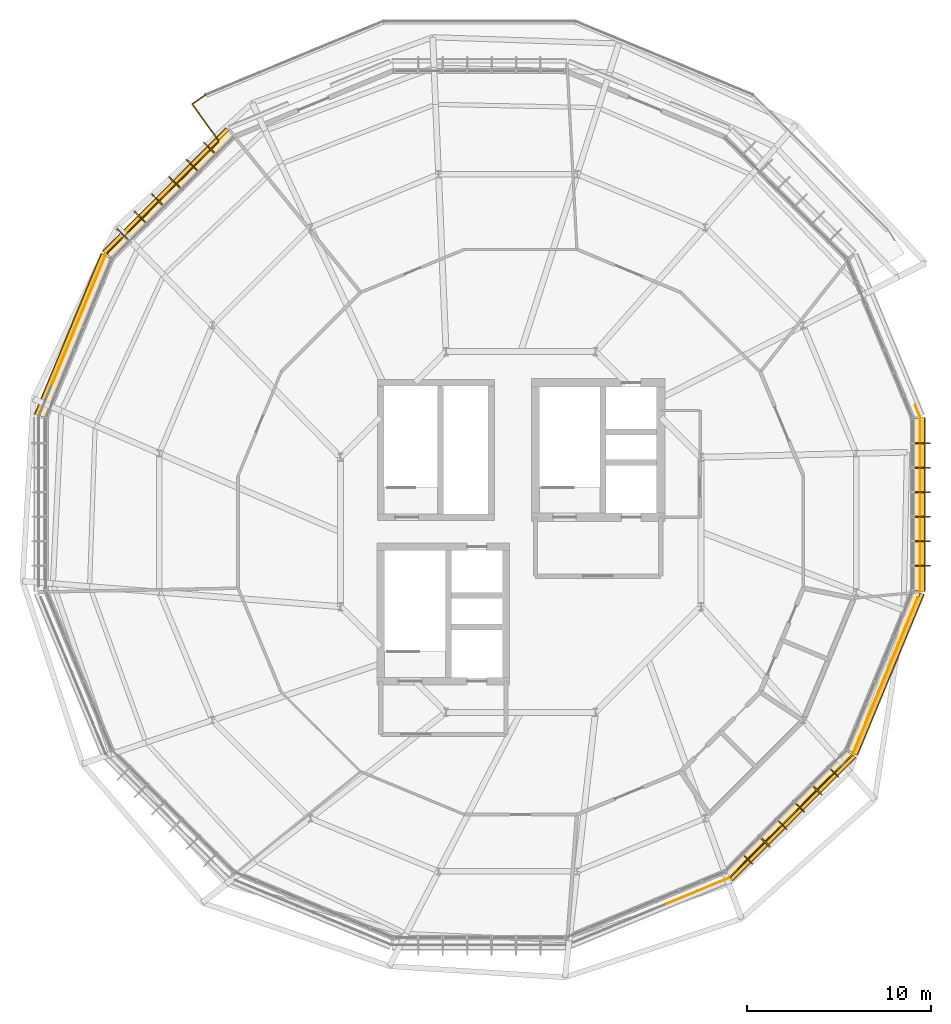
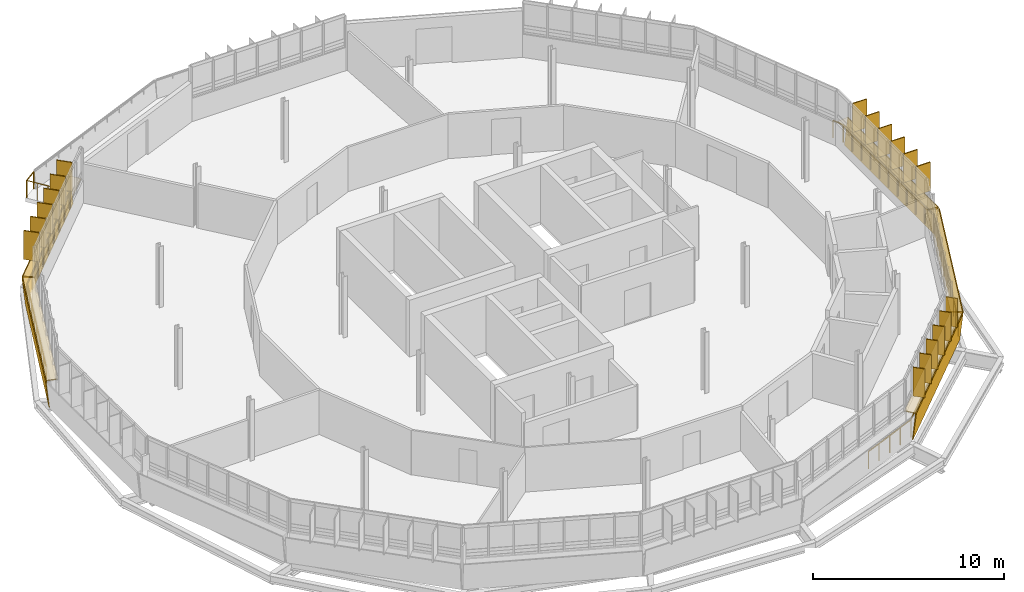
# One storey, part 30 of 31: 29 railings, 18 shading devices, 10 coverings.
"""IFC4 building model written with IfcOpenShell, lengths in metres."""

from ifc_helpers import new_model, si_unit, derived_unit, direction, frame, origin, origin_2d, place, context, subcontext, project, spatial, polyline, rectangle, circle, outline, extrude, material, layer, layer_set, type_object, element, save


model = new_model("IFC4")

# Units and contexts
model_context = context("Model", 3, precision=1e-05, world=origin(), true_north=direction((0.0, 1.0)))
body_context = subcontext(model_context, "Body", "Model", "MODEL_VIEW")
ifc_project = project(units=[si_unit("LENGTHUNIT", "METRE"), si_unit("AREAUNIT", "SQUARE_METRE"), si_unit("VOLUMEUNIT", "CUBIC_METRE"), si_unit("PLANEANGLEUNIT", "RADIAN"), si_unit("MASSUNIT", "GRAM", prefix="KILO"), derived_unit("THERMALTRANSMITTANCEUNIT", [(si_unit("MASSUNIT", "GRAM", prefix="KILO"), 1), (si_unit("TIMEUNIT", "SECOND"), -3), (si_unit("THERMODYNAMICTEMPERATUREUNIT", "KELVIN"), -1)])], contexts=[model_context])

# Site, building, storey
site_placement = place(None, origin())
site = spatial("IfcSite", under=ifc_project, at=site_placement, CompositionType="ELEMENT")
building_placement = place(site_placement, origin())
building = spatial("IfcBuilding", under=site, at=building_placement, Name="Makaiwela Harbour Ferry Terminal", CompositionType="ELEMENT")
storey_placement = place(building_placement, frame((0.0, 0.0, 21.60009765625)))
storey = spatial("IfcBuildingStorey", under=building, at=storey_placement, Name="L05", CompositionType="ELEMENT", Elevation=21.60009765625)

# Coverings
ifc_material_1 = material(Name="White glazed marine ceramic rainscreen tile", Category="masonry")
ifc_layer_1 = layer(ifc_material_1, 0.054931640625)
ifc_layer_set_1 = layer_set([ifc_layer_1], Name="White glazed marine ceramic rainscreen tile")
covering_type = type_object("IfcCoveringType", Name="ENV-CLD-CERAMIC", PredefinedType="CLADDING", material=ifc_layer_set_1)
covering_1_placement = place(storey_placement, frame((21.939453125, 89.399658203125, -0.2001953125), z_axis=(0.702880719447, -0.702893546439, 0.109084172107), x_axis=(-0.707113309931, -0.707100252381, 9.89417e-07)))
element("IfcCovering", 1, at=covering_1_placement, inside=storey, type_object=covering_type, Name="Ceramic Spandrel Facet CLD-0137", PredefinedType="CLADDING", context=body_context, shape_type="SweptSolid", body=[
    extrude(outline(polyline([(0.0, 0.0), (9.459797434945667, 0.0), (9.459973512622991, -1.730532407882872), (3.445779770495592e-06, -1.7305512398080287), (0.0, 0.0)])), origin(), (0.0, 0.0, -1.0), 0.054931640625),
])
covering_2_placement = place(storey_placement, frame((0.0, 0.0, 1.47998046875)))
element("IfcCovering", 2, at=covering_2_placement, inside=storey, type_object=covering_type, Name="Ceramic Ring Sill Cap CLD-0138", PredefinedType="CLADDING", context=body_context, shape_type="SweptSolid", body=[
    extrude(outline(polyline([(21.805908203125, 89.533203125), (15.11669921875, 82.843994140625), (15.615966796875, 82.454833984375), (22.195068359375, 89.0341796875), (21.805908203125, 89.533203125)])), origin(), (0.0, 0.0, 1.0), 0.054931640625),
])
covering_3_placement = place(storey_placement, frame((15.20703125, 82.64599609375, -0.2001953125), z_axis=(0.918359584869, -0.380409383324, 0.109107167308), x_axis=(-0.382693938663, -0.923875180589, -1.292983e-06)))
element("IfcCovering", 3, at=covering_3_placement, inside=storey, type_object=covering_type, Name="Ceramic Spandrel Facet CLD-0139", PredefinedType="CLADDING", context=body_context, shape_type="SweptSolid", body=[
    extrude(outline(polyline([(0.0, 0.0), (9.459831405573986, 5.551115123125783e-17), (9.45986802723752, -1.7305585225097775), (-5.680947383312657e-05, -1.7305339126719448), (0.0, 0.0)])), origin(), (0.0, 0.0, -1.0), 0.054931640625),
])
covering_4_placement = place(storey_placement, frame((0.0, 0.0, 1.47998046875)))
element("IfcCovering", 4, at=covering_4_placement, inside=storey, type_object=covering_type, Name="Ceramic Ring Sill Cap CLD-0140", PredefinedType="CLADDING", context=body_context, shape_type="SweptSolid", body=[
    extrude(outline(polyline([(15.03271484375, 82.71826171875), (11.412353515625, 73.978515625), (12.022705078125, 73.809814453125), (15.583251953125, 82.406005859375), (15.03271484375, 82.71826171875)])), origin(), (0.0, 0.0, 1.0), 0.054931640625),
])
covering_5_placement = place(storey_placement, frame((49.16064453125, 48.80029296875, -0.2001953125), z_axis=(-0.70288589418, 0.702873067327, 0.109182741256), x_axis=(0.707100252243, 0.707113310069, -9.90301e-07)))
element("IfcCovering", 5, at=covering_5_placement, inside=storey, type_object=covering_type, Name="Ceramic Spandrel Facet CLD-0153", PredefinedType="CLADDING", context=body_context, shape_type="SweptSolid", body=[
    extrude(outline(polyline([(0.0, 0.0), (9.459797434945676, 1.1102230246251565e-16), (9.459966619506949, -1.7305700887498752), (-3.447336247298198e-06, -1.7305512398080718), (0.0, 0.0)])), origin(), (0.0, 0.0, -1.0), 0.054931640625),
])
covering_6_placement = place(storey_placement, frame((0.0, 0.0, 1.47998046875)))
element("IfcCovering", 6, at=covering_6_placement, inside=storey, type_object=covering_type, Name="Ceramic Ring Sill Cap CLD-0154", PredefinedType="CLADDING", context=body_context, shape_type="SweptSolid", body=[
    extrude(outline(polyline([(49.294189453125, 48.666748046875), (55.9833984375, 55.35595703125), (55.484130859375, 55.7451171875), (48.90478515625, 49.166015625), (49.294189453125, 48.666748046875)])), origin(), (0.0, 0.0, 1.0), 0.054931640625),
])
covering_7_placement = place(storey_placement, frame((55.892822265625, 55.553955078125, -0.2001953125), z_axis=(-0.918357588115, 0.380395729275, 0.109171559944), x_axis=(0.382683055547, 0.923879688594, 0.0)))
element("IfcCovering", 7, at=covering_7_placement, inside=storey, type_object=covering_type, Name="Ceramic Spandrel Facet CLD-0155", PredefinedType="CLADDING", context=body_context, shape_type="SweptSolid", body=[
    extrude(outline(polyline([(0.0, 0.0), (9.459831406238237, 0.0), (9.459868026573268, -1.7305585261408318), (3.6620335031142814e-05, -1.7305585261408318), (0.0, 0.0)])), origin(), (0.0, 0.0, -1.0), 0.054931640625),
])
covering_8_placement = place(storey_placement, frame((0.0, 0.0, 1.47998046875)))
element("IfcCovering", 8, at=covering_8_placement, inside=storey, type_object=covering_type, Name="Ceramic Ring Sill Cap CLD-0156", PredefinedType="CLADDING", context=body_context, shape_type="SweptSolid", body=[
    extrude(outline(polyline([(56.0673828125, 55.481689453125), (59.6875, 64.221435546875), (59.077392578125, 64.39013671875), (55.516845703125, 55.7939453125), (56.0673828125, 55.481689453125)])), origin(), (0.0, 0.0, 1.0), 0.054931640625),
])
covering_9_placement = place(storey_placement, frame((59.5283203125, 64.3701171875, -0.2001953125), z_axis=(-0.994035900553, 0.0, 0.109053328289), x_axis=(0.0, 1.0, 0.0)))
element("IfcCovering", 9, at=covering_9_placement, inside=storey, type_object=covering_type, Name="Ceramic Spandrel Facet CLD-0157", PredefinedType="CLADDING", context=body_context, shape_type="SweptSolid", body=[
    extrude(outline(polyline([(0.0, 0.0), (9.4599609375, 0.0), (9.4599609375, -1.7305359321452505), (0.0, -1.7305359321452505), (0.0, 0.0)])), origin(), (0.0, 0.0, -1.0), 0.054931640625),
])
covering_10_placement = place(storey_placement, frame((0.0, 0.0, 1.47998046875)))
element("IfcCovering", 10, at=covering_10_placement, inside=storey, type_object=covering_type, Name="Ceramic Ring Sill Cap CLD-0158", PredefinedType="CLADDING", context=body_context, shape_type="SweptSolid", body=[
    extrude(outline(polyline([(59.717041015625, 64.3701171875), (59.717041015625, 73.830078125), (59.0888671875, 73.752197265625), (59.0888671875, 64.44775390625), (59.717041015625, 64.3701171875)])), origin(), (0.0, 0.0, 1.0), 0.054931640625),
])

# Shading devices
ifc_material_2 = material(Name="Marine anodised aluminium 6063-T6", Category="aluminium")
ifc_layer_2 = layer(ifc_material_2, 0.054931640625)
ifc_layer_set_2 = layer_set([ifc_layer_2], Name="Marine anodised aluminium 6063-T6")
shading_device_type_1 = type_object("IfcShadingDeviceType", Name="ENV-FIN-650", PredefinedType="USERDEFINED", material=ifc_layer_set_2)
for number, where, z_axis, x_axis, name in (
    (11, (50.154541015625, 49.796142578125, 1.60009765625), (0.0, 0.0, 1.0), (0.707106781187, -0.707106781187, 0.0), "Vertical Solar Fin SFN-0186"),
    (12, (51.094482421875, 50.736083984375, 1.60009765625), (0.0, 0.0, 1.0), (0.707106781187, -0.707106781187, 0.0), "Vertical Solar Fin SFN-0187"),
    (13, (52.0341796875, 51.67578125, 1.60009765625), (0.0, 0.0, 1.0), (0.707106781187, -0.707106781187, 0.0), "Vertical Solar Fin SFN-0188"),
    (14, (52.97412109375, 52.61572265625, 1.60009765625), (0.0, 0.0, 1.0), (0.707106781187, -0.707106781187, 0.0), "Vertical Solar Fin SFN-0189"),
    (15, (53.9140625, 53.5556640625, 1.60009765625), (0.0, 0.0, 1.0), (0.707106781187, -0.707106781187, 0.0), "Vertical Solar Fin SFN-0190"),
    (16, (54.85400390625, 54.49560546875, 1.60009765625), (0.0, 0.0, 1.0), (0.707106781187, -0.707106781187, 0.0), "Vertical Solar Fin SFN-0191"),
):
    element("IfcShadingDevice", number, at=place(storey_placement, frame(where, z_axis=z_axis, x_axis=x_axis)), inside=storey, type_object=shading_device_type_1, Name=name, ObjectType="SOLAR FIN", PredefinedType="USERDEFINED", context=body_context, shape_type="SweptSolid", body=[
        extrude(rectangle(XDim=0.64990234375, YDim=0.054931640625, at=origin_2d()), origin(), (0.0, 0.0, 1.0), 1.840087890625),
    ])
ifc_material_3 = material(Name="Thermally modified Accoya timber and anodised aluminium", Category="wood")
ifc_layer_3 = layer(ifc_material_3, 0.06005859375)
ifc_layer_set_3 = layer_set([ifc_layer_3], Name="Thermally modified Accoya timber and anodised aluminium")
shading_device_type_2 = type_object("IfcShadingDeviceType", Name="ENV-FIN-850", PredefinedType="USERDEFINED", material=ifc_layer_set_3)
for number, where, z_axis, x_axis, name in (
    (17, (20.874755859375, 88.474609375, 1.60009765625), (0.0, 0.0, 1.0), (-0.707106781187, 0.707106781187, 0.0), "Vertical Solar Fin SFN-0162"),
    (18, (19.934814453125, 87.53466796875, 1.60009765625), (0.0, 0.0, 1.0), (-0.707106781187, 0.707106781187, 0.0), "Vertical Solar Fin SFN-0163"),
    (19, (18.9951171875, 86.5947265625, 1.60009765625), (0.0, 0.0, 1.0), (-0.707106781187, 0.707106781187, 0.0), "Vertical Solar Fin SFN-0164"),
    (20, (18.05517578125, 85.655029296875, 1.60009765625), (0.0, 0.0, 1.0), (-0.707106781187, 0.707106781187, 0.0), "Vertical Solar Fin SFN-0165"),
    (21, (17.115234375, 84.715087890625, 1.60009765625), (0.0, 0.0, 1.0), (-0.707106781187, 0.707106781187, 0.0), "Vertical Solar Fin SFN-0166"),
    (22, (16.17529296875, 83.775146484375, 1.60009765625), (0.0, 0.0, 1.0), (-0.707106781187, 0.707106781187, 0.0), "Vertical Solar Fin SFN-0167"),
    (23, (59.626708984375, 65.777099609375, 1.60009765625), (0.0, 0.0, 1.0), (1.0, 0.0, 0.0), "Vertical Solar Fin SFN-0192"),
    (24, (59.626708984375, 67.106201171875, 1.60009765625), (0.0, 0.0, 1.0), (1.0, 0.0, 0.0), "Vertical Solar Fin SFN-0193"),
    (25, (59.626708984375, 68.435302734375, 1.60009765625), (0.0, 0.0, 1.0), (1.0, 0.0, 0.0), "Vertical Solar Fin SFN-0194"),
    (26, (59.626708984375, 69.7646484375, 1.60009765625), (0.0, 0.0, 1.0), (1.0, 0.0, 0.0), "Vertical Solar Fin SFN-0195"),
    (27, (59.626708984375, 71.09375, 1.60009765625), (0.0, 0.0, 1.0), (1.0, 0.0, 0.0), "Vertical Solar Fin SFN-0196"),
    (28, (59.626708984375, 72.423095703125, 1.60009765625), (0.0, 0.0, 1.0), (1.0, 0.0, 0.0), "Vertical Solar Fin SFN-0197"),
):
    element("IfcShadingDevice", number, at=place(storey_placement, frame(where, z_axis=z_axis, x_axis=x_axis)), inside=storey, type_object=shading_device_type_2, Name=name, ObjectType="SOLAR FIN", PredefinedType="USERDEFINED", context=body_context, shape_type="SweptSolid", body=[
        extrude(rectangle(XDim=0.85009765625, YDim=0.06005859375, at=origin_2d()), origin(), (0.0, 0.0, 1.0), 1.840087890625),
    ])

# Railings
ifc_material_4 = material(Name="Marine grade 316L brushed stainless steel", Category="steel")
railing_type = type_object("IfcRailingType", Name="INT-RL-GRD110", PredefinedType="GUARDRAIL", material=ifc_material_4)
railing_1_placement = place(storey_placement, frame((12.343505859375, 75.62060546875, 0.0)))
element("IfcRailing", 29, at=railing_1_placement, inside=storey, type_object=railing_type, Name="Deck edge guardrail RL-0842", PredefinedType="GUARDRAIL", context=body_context, shape_type="SweptSolid", body=[
    extrude(circle(Radius=0.02392578125, at=origin_2d()), frame((0.0, 0.0, 1.09619140625), z_axis=(0.382812232488, 0.923826171235, 0.0), x_axis=(-0.923826171235, 0.382812232488, 0.0)), (0.0, 0.0, 1.0), 1.904296875),
    extrude(circle(Radius=0.02099609375, at=origin_2d()), origin(), (0.0, 0.0, 1.0), 1.072021484375),
    extrude(circle(Radius=0.02099609375, at=origin_2d()), frame((0.364501953125, 0.879638671875, 0.0)), (0.0, 0.0, 1.0), 1.072021484375),
    extrude(circle(Radius=0.02099609375, at=origin_2d()), frame((0.72900390625, 1.75927734375, 0.0)), (0.0, 0.0, 1.0), 1.072021484375),
])
railing_2_placement = place(storey_placement, frame((13.072509765625, 77.3798828125, 0.0)))
element("IfcRailing", 30, at=railing_2_placement, inside=storey, type_object=railing_type, Name="Deck edge guardrail RL-0843", PredefinedType="GUARDRAIL", context=body_context, shape_type="SweptSolid", body=[
    extrude(circle(Radius=0.02392578125, at=origin_2d()), frame((0.0, 0.0, 1.09619140625), z_axis=(0.382657483924, 0.923890280281, 0.0), x_axis=(-0.923890280281, 0.382657483924, 0.0)), (0.0, 0.0, 1.0), 1.904541015625),
    extrude(circle(Radius=0.02099609375, at=origin_2d()), origin(), (0.0, 0.0, 1.0), 1.072021484375),
    extrude(circle(Radius=0.02099609375, at=origin_2d()), frame((0.3642578125, 0.8798828125, 0.0)), (0.0, 0.0, 1.0), 1.072021484375),
    extrude(circle(Radius=0.02099609375, at=origin_2d()), frame((0.728759765625, 1.759521484375, 0.0)), (0.0, 0.0, 1.0), 1.072021484375),
])
railing_3_placement = place(storey_placement, frame((13.80126953125, 79.139404296875, 0.0)))
element("IfcRailing", 31, at=railing_3_placement, inside=storey, type_object=railing_type, Name="Deck edge guardrail RL-0844", PredefinedType="GUARDRAIL", context=body_context, shape_type="SweptSolid", body=[
    extrude(circle(Radius=0.02392578125, at=origin_2d()), frame((0.0, 0.0, 1.09619140625), z_axis=(0.382702809519, 0.923871505993, 0.0), x_axis=(-0.923871505993, 0.382702809519, 0.0)), (0.0, 0.0, 1.0), 1.904296875),
    extrude(circle(Radius=0.02099609375, at=origin_2d()), origin(), (0.0, 0.0, 1.0), 1.072021484375),
    extrude(circle(Radius=0.02099609375, at=origin_2d()), frame((0.3642578125, 0.879638671875, 0.0)), (0.0, 0.0, 1.0), 1.072021484375),
    extrude(circle(Radius=0.02099609375, at=origin_2d()), frame((0.728759765625, 1.75927734375, 0.0)), (0.0, 0.0, 1.0), 1.072021484375),
])
railing_4_placement = place(storey_placement, frame((14.530029296875, 80.898681640625, 0.0)))
element("IfcRailing", 32, at=railing_4_placement, inside=storey, type_object=railing_type, Name="Deck edge guardrail RL-0845", PredefinedType="GUARDRAIL", context=body_context, shape_type="SweptSolid", body=[
    extrude(circle(Radius=0.02392578125, at=origin_2d()), frame((0.0, 0.0, 1.09619140625), z_axis=(0.382657483924, 0.923890280281, 0.0), x_axis=(-0.923890280281, 0.382657483924, 0.0)), (0.0, 0.0, 1.0), 1.904541015625),
    extrude(circle(Radius=0.02099609375, at=origin_2d()), origin(), (0.0, 0.0, 1.0), 1.072021484375),
    extrude(circle(Radius=0.02099609375, at=origin_2d()), frame((0.3642578125, 0.8798828125, 0.0)), (0.0, 0.0, 1.0), 1.072021484375),
    extrude(circle(Radius=0.02099609375, at=origin_2d()), frame((0.728759765625, 1.759521484375, 0.0)), (0.0, 0.0, 1.0), 1.072021484375),
])
for number, where, name in (
    (33, (15.2587890625, 82.658203125, 0.0), "Deck edge guardrail RL-0846"),
    (34, (16.787841796875, 84.187255859375, 0.0), "Deck edge guardrail RL-0847"),
):
    element("IfcRailing", number, at=place(storey_placement, frame(where)), inside=storey, type_object=railing_type, Name=name, PredefinedType="GUARDRAIL", context=body_context, shape_type="SweptSolid", body=[
        extrude(circle(Radius=0.02392578125, at=origin_2d()), frame((0.0, 0.0, 1.09619140625), z_axis=(0.707106781187, 0.707106781187, 0.0), x_axis=(-0.707106781187, 0.707106781187, 0.0)), (0.0, 0.0, 1.0), 2.162353515625),
        extrude(circle(Radius=0.02099609375, at=origin_2d()), origin(), (0.0, 0.0, 1.0), 1.072021484375),
        extrude(circle(Radius=0.02099609375, at=origin_2d()), frame((0.7646484375, 0.7646484375, 0.0)), (0.0, 0.0, 1.0), 1.072021484375),
        extrude(circle(Radius=0.02099609375, at=origin_2d()), frame((1.529052734375, 1.529052734375, 0.0)), (0.0, 0.0, 1.0), 1.072021484375),
    ])
railing_5_placement = place(storey_placement, frame((18.31689453125, 85.71630859375, 0.0)))
element("IfcRailing", 35, at=railing_5_placement, inside=storey, type_object=railing_type, Name="Deck edge guardrail RL-0848", PredefinedType="GUARDRAIL", context=body_context, shape_type="SweptSolid", body=[
    extrude(circle(Radius=0.02392578125, at=origin_2d()), frame((0.0, 0.0, 1.09619140625), z_axis=(0.707106781187, 0.707106781187, 0.0), x_axis=(-0.707106781187, 0.707106781187, 0.0)), (0.0, 0.0, 1.0), 2.162109375),
    extrude(circle(Radius=0.02099609375, at=origin_2d()), origin(), (0.0, 0.0, 1.0), 1.072021484375),
    extrude(circle(Radius=0.02099609375, at=origin_2d()), frame((0.764404296875, 0.764404296875, 0.0)), (0.0, 0.0, 1.0), 1.072021484375),
    extrude(circle(Radius=0.02099609375, at=origin_2d()), frame((1.52880859375, 1.52880859375, 0.0)), (0.0, 0.0, 1.0), 1.072021484375),
])
railing_6_placement = place(storey_placement, frame((19.845703125, 87.2451171875, 0.0)))
element("IfcRailing", 36, at=railing_6_placement, inside=storey, type_object=railing_type, Name="Deck edge guardrail RL-0849", PredefinedType="GUARDRAIL", context=body_context, shape_type="SweptSolid", body=[
    extrude(circle(Radius=0.02392578125, at=origin_2d()), frame((0.0, 0.0, 1.09619140625), z_axis=(0.707106781187, 0.707106781187, 0.0), x_axis=(-0.707106781187, 0.707106781187, 0.0)), (0.0, 0.0, 1.0), 2.162353515625),
    extrude(circle(Radius=0.02099609375, at=origin_2d()), origin(), (0.0, 0.0, 1.0), 1.072021484375),
    extrude(circle(Radius=0.02099609375, at=origin_2d()), frame((0.7646484375, 0.7646484375, 0.0)), (0.0, 0.0, 1.0), 1.072021484375),
    extrude(circle(Radius=0.02099609375, at=origin_2d()), frame((1.529052734375, 1.529052734375, 0.0)), (0.0, 0.0, 1.0), 1.072021484375),
])
railing_7_placement = place(storey_placement, frame((21.381591796875, 88.858154296875, 0.0)))
element("IfcRailing", 37, at=railing_7_placement, inside=storey, type_object=railing_type, Name="Deck edge guardrail RL-0850", PredefinedType="GUARDRAIL", context=body_context, shape_type="SweptSolid", body=[
    extrude(circle(Radius=0.02392578125, at=origin_2d()), frame((0.0, 0.0, 1.09619140625), z_axis=(-0.584299456232, 0.811538135547, 0.0), x_axis=(-0.811538135547, -0.584299456232, 0.0)), (0.0, 0.0, 1.0), 1.220458984375),
    extrude(circle(Radius=0.02099609375, at=origin_2d()), origin(), (0.0, 0.0, 1.0), 1.072021484375),
    extrude(circle(Radius=0.02099609375, at=origin_2d()), frame((-0.3564453125, 0.4951171875, 0.0)), (0.0, 0.0, 1.0), 1.072021484375),
    extrude(circle(Radius=0.02099609375, at=origin_2d()), frame((-0.713134765625, 0.990478515625, 0.0)), (0.0, 0.0, 1.0), 1.072021484375),
])
railing_8_placement = place(storey_placement, frame((20.66845703125, 89.8486328125, 0.0)))
element("IfcRailing", 38, at=railing_8_placement, inside=storey, type_object=railing_type, Name="Deck edge guardrail RL-0851", PredefinedType="GUARDRAIL", context=body_context, shape_type="SweptSolid", body=[
    extrude(circle(Radius=0.02392578125, at=origin_2d()), frame((0.0, 0.0, 1.09619140625), z_axis=(-0.584204615235, 0.811606411716, 0.0), x_axis=(-0.811606411716, -0.584204615235, 0.0)), (0.0, 0.0, 1.0), 1.220703125),
    extrude(circle(Radius=0.02099609375, at=origin_2d()), origin(), (0.0, 0.0, 1.0), 1.072021484375),
    extrude(circle(Radius=0.02099609375, at=origin_2d()), frame((-0.3564453125, 0.495361328125, 0.0)), (0.0, 0.0, 1.0), 1.072021484375),
    extrude(circle(Radius=0.02099609375, at=origin_2d()), frame((-0.713134765625, 0.99072265625, 0.0)), (0.0, 0.0, 1.0), 1.072021484375),
])
railing_9_placement = place(storey_placement, frame((19.955322265625, 90.83935546875, 0.0)))
element("IfcRailing", 39, at=railing_9_placement, inside=storey, type_object=railing_type, Name="Deck edge guardrail RL-0852", PredefinedType="GUARDRAIL", context=body_context, shape_type="SweptSolid", body=[
    extrude(circle(Radius=0.02392578125, at=origin_2d()), frame((0.0, 0.0, 1.09619140625), z_axis=(0.821635581057, 0.570013133131, 0.0), x_axis=(-0.570013133131, 0.821635581057, 0.0)), (0.0, 0.0, 1.0), 0.884765625),
    extrude(circle(Radius=0.02099609375, at=origin_2d()), origin(), (0.0, 0.0, 1.0), 1.072021484375),
    extrude(circle(Radius=0.02099609375, at=origin_2d()), frame((0.72705078125, 0.50439453125, 0.0)), (0.0, 0.0, 1.0), 1.072021484375),
])
railing_10_placement = place(storey_placement, frame((59.22509765625, 74.4892578125, 0.0)))
element("IfcRailing", 40, at=railing_10_placement, inside=storey, type_object=railing_type, Name="Deck edge guardrail RL-0874", PredefinedType="GUARDRAIL", context=body_context, shape_type="SweptSolid", body=[
    extrude(circle(Radius=0.02392578125, at=origin_2d()), frame((0.0, 0.0, 1.09619140625), z_axis=(0.382446944439, -0.923977453561, 0.0), x_axis=(0.923977453561, 0.382446944439, 0.0)), (0.0, 0.0, 1.0), 0.679931640625),
    extrude(circle(Radius=0.02099609375, at=origin_2d()), origin(), (0.0, 0.0, 1.0), 1.072021484375),
    extrude(circle(Radius=0.02099609375, at=origin_2d()), frame((0.260009765625, -0.628173828125, 0.0)), (0.0, 0.0, 1.0), 1.072021484375),
])
for number, where, name in (
    (41, (59.485107421875, 73.861083984375, 0.0), "Deck edge guardrail RL-0875"),
    (42, (59.485107421875, 71.96875, 0.0), "Deck edge guardrail RL-0876"),
    (43, (59.485107421875, 70.076416015625, 0.0), "Deck edge guardrail RL-0877"),
):
    element("IfcRailing", number, at=place(storey_placement, frame(where)), inside=storey, type_object=railing_type, Name=name, PredefinedType="GUARDRAIL", context=body_context, shape_type="SweptSolid", body=[
        extrude(circle(Radius=0.02392578125, at=origin_2d()), frame((0.0, 0.0, 1.09619140625), z_axis=(0.0, -1.0, 0.0), x_axis=(1.0, 0.0, 0.0)), (0.0, 0.0, 1.0), 1.892333984375),
        extrude(circle(Radius=0.02099609375, at=origin_2d()), origin(), (0.0, 0.0, 1.0), 1.072021484375),
        extrude(circle(Radius=0.02099609375, at=origin_2d()), frame((0.0, -0.9462890625, 0.0)), (0.0, 0.0, 1.0), 1.072021484375),
        extrude(circle(Radius=0.02099609375, at=origin_2d()), frame((0.0, -1.892333984375, 0.0)), (0.0, 0.0, 1.0), 1.072021484375),
    ])
railing_11_placement = place(storey_placement, frame((59.485107421875, 68.18408203125, 0.0)))
element("IfcRailing", 44, at=railing_11_placement, inside=storey, type_object=railing_type, Name="Deck edge guardrail RL-0878", PredefinedType="GUARDRAIL", context=body_context, shape_type="SweptSolid", body=[
    extrude(circle(Radius=0.02392578125, at=origin_2d()), frame((0.0, 0.0, 1.09619140625), z_axis=(0.0, -1.0, 0.0), x_axis=(1.0, 0.0, 0.0)), (0.0, 0.0, 1.0), 1.89208984375),
    extrude(circle(Radius=0.02099609375, at=origin_2d()), origin(), (0.0, 0.0, 1.0), 1.072021484375),
    extrude(circle(Radius=0.02099609375, at=origin_2d()), frame((0.0, -0.946044921875, 0.0)), (0.0, 0.0, 1.0), 1.072021484375),
    extrude(circle(Radius=0.02099609375, at=origin_2d()), frame((0.0, -1.89208984375, 0.0)), (0.0, 0.0, 1.0), 1.072021484375),
])
railing_12_placement = place(storey_placement, frame((59.485107421875, 66.2919921875, 0.0)))
element("IfcRailing", 45, at=railing_12_placement, inside=storey, type_object=railing_type, Name="Deck edge guardrail RL-0879", PredefinedType="GUARDRAIL", context=body_context, shape_type="SweptSolid", body=[
    extrude(circle(Radius=0.02392578125, at=origin_2d()), frame((0.0, 0.0, 1.09619140625), z_axis=(0.0, -1.0, 0.0), x_axis=(1.0, 0.0, 0.0)), (0.0, 0.0, 1.0), 1.892333984375),
    extrude(circle(Radius=0.02099609375, at=origin_2d()), origin(), (0.0, 0.0, 1.0), 1.072021484375),
    extrude(circle(Radius=0.02099609375, at=origin_2d()), frame((0.0, -0.9462890625, 0.0)), (0.0, 0.0, 1.0), 1.072021484375),
    extrude(circle(Radius=0.02099609375, at=origin_2d()), frame((0.0, -1.892333984375, 0.0)), (0.0, 0.0, 1.0), 1.072021484375),
])
railing_13_placement = place(storey_placement, frame((59.3544921875, 64.023681640625, 0.0)))
element("IfcRailing", 46, at=railing_13_placement, inside=storey, type_object=railing_type, Name="Deck edge guardrail RL-0880", PredefinedType="GUARDRAIL", context=body_context, shape_type="SweptSolid", body=[
    extrude(circle(Radius=0.02392578125, at=origin_2d()), frame((0.0, 0.0, 1.09619140625), z_axis=(-0.382688445377, -0.923877456038, 0.0), x_axis=(0.923877456038, -0.382688445377, 0.0)), (0.0, 0.0, 1.0), 1.8359375),
    extrude(circle(Radius=0.02099609375, at=origin_2d()), origin(), (0.0, 0.0, 1.0), 1.072021484375),
    extrude(circle(Radius=0.02099609375, at=origin_2d()), frame((-0.351318359375, -0.84814453125, 0.0)), (0.0, 0.0, 1.0), 1.072021484375),
    extrude(circle(Radius=0.02099609375, at=origin_2d()), frame((-0.70263671875, -1.6962890625, 0.0)), (0.0, 0.0, 1.0), 1.072021484375),
])
railing_14_placement = place(storey_placement, frame((58.65185546875, 62.327392578125, 0.0)))
element("IfcRailing", 47, at=railing_14_placement, inside=storey, type_object=railing_type, Name="Deck edge guardrail RL-0881", PredefinedType="GUARDRAIL", context=body_context, shape_type="SweptSolid", body=[
    extrude(circle(Radius=0.02392578125, at=origin_2d()), frame((0.0, 0.0, 1.09619140625), z_axis=(-0.382641438055, -0.923896926006, 0.0), x_axis=(0.923896926006, -0.382641438055, 0.0)), (0.0, 0.0, 1.0), 1.836181640625),
    extrude(circle(Radius=0.02099609375, at=origin_2d()), origin(), (0.0, 0.0, 1.0), 1.072021484375),
    extrude(circle(Radius=0.02099609375, at=origin_2d()), frame((-0.351318359375, -0.84814453125, 0.0)), (0.0, 0.0, 1.0), 1.072021484375),
    extrude(circle(Radius=0.02099609375, at=origin_2d()), frame((-0.70263671875, -1.696533203125, 0.0)), (0.0, 0.0, 1.0), 1.072021484375),
])
for number, where, name in (
    (48, (57.94921875, 60.630859375, 0.0), "Deck edge guardrail RL-0882"),
    (49, (57.24658203125, 58.9345703125, 0.0), "Deck edge guardrail RL-0883"),
):
    element("IfcRailing", number, at=place(storey_placement, frame(where)), inside=storey, type_object=railing_type, Name=name, PredefinedType="GUARDRAIL", context=body_context, shape_type="SweptSolid", body=[
        extrude(circle(Radius=0.02392578125, at=origin_2d()), frame((0.0, 0.0, 1.09619140625), z_axis=(-0.382688445377, -0.923877456038, 0.0), x_axis=(0.923877456038, -0.382688445377, 0.0)), (0.0, 0.0, 1.0), 1.8359375),
        extrude(circle(Radius=0.02099609375, at=origin_2d()), origin(), (0.0, 0.0, 1.0), 1.072021484375),
        extrude(circle(Radius=0.02099609375, at=origin_2d()), frame((-0.351318359375, -0.84814453125, 0.0)), (0.0, 0.0, 1.0), 1.072021484375),
        extrude(circle(Radius=0.02099609375, at=origin_2d()), frame((-0.70263671875, -1.6962890625, 0.0)), (0.0, 0.0, 1.0), 1.072021484375),
    ])
railing_15_placement = place(storey_placement, frame((56.5439453125, 57.23828125, 0.0)))
element("IfcRailing", 50, at=railing_15_placement, inside=storey, type_object=railing_type, Name="Deck edge guardrail RL-0884", PredefinedType="GUARDRAIL", context=body_context, shape_type="SweptSolid", body=[
    extrude(circle(Radius=0.02392578125, at=origin_2d()), frame((0.0, 0.0, 1.09619140625), z_axis=(-0.382641438055, -0.923896926006, 0.0), x_axis=(0.923896926006, -0.382641438055, 0.0)), (0.0, 0.0, 1.0), 1.836181640625),
    extrude(circle(Radius=0.02099609375, at=origin_2d()), origin(), (0.0, 0.0, 1.0), 1.072021484375),
    extrude(circle(Radius=0.02099609375, at=origin_2d()), frame((-0.351318359375, -0.84814453125, 0.0)), (0.0, 0.0, 1.0), 1.072021484375),
    extrude(circle(Radius=0.02099609375, at=origin_2d()), frame((-0.70263671875, -1.696533203125, 0.0)), (0.0, 0.0, 1.0), 1.072021484375),
])
railing_16_placement = place(storey_placement, frame((55.84130859375, 55.541748046875, 0.0)))
element("IfcRailing", 51, at=railing_16_placement, inside=storey, type_object=railing_type, Name="Deck edge guardrail RL-0885", PredefinedType="GUARDRAIL", context=body_context, shape_type="SweptSolid", body=[
    extrude(circle(Radius=0.02392578125, at=origin_2d()), frame((0.0, 0.0, 1.09619140625), z_axis=(-0.707170880065, -0.707042676497, 0.0), x_axis=(0.707042676497, -0.707170880065, 0.0)), (0.0, 0.0, 1.0), 1.904296875),
    extrude(circle(Radius=0.02099609375, at=origin_2d()), origin(), (0.0, 0.0, 1.0), 1.072021484375),
    extrude(circle(Radius=0.02099609375, at=origin_2d()), frame((-0.67333984375, -0.67333984375, 0.0)), (0.0, 0.0, 1.0), 1.072021484375),
    extrude(circle(Radius=0.02099609375, at=origin_2d()), frame((-1.3466796875, -1.346435546875, 0.0)), (0.0, 0.0, 1.0), 1.072021484375),
])
railing_17_placement = place(storey_placement, frame((54.49462890625, 54.1953125, 0.0)))
element("IfcRailing", 52, at=railing_17_placement, inside=storey, type_object=railing_type, Name="Deck edge guardrail RL-0886", PredefinedType="GUARDRAIL", context=body_context, shape_type="SweptSolid", body=[
    extrude(circle(Radius=0.02392578125, at=origin_2d()), frame((0.0, 0.0, 1.09619140625), z_axis=(-0.707106781187, -0.707106781187, 0.0), x_axis=(0.707106781187, -0.707106781187, 0.0)), (0.0, 0.0, 1.0), 1.904541015625),
    extrude(circle(Radius=0.02099609375, at=origin_2d()), origin(), (0.0, 0.0, 1.0), 1.072021484375),
    extrude(circle(Radius=0.02099609375, at=origin_2d()), frame((-0.67333984375, -0.67333984375, 0.0)), (0.0, 0.0, 1.0), 1.072021484375),
    extrude(circle(Radius=0.02099609375, at=origin_2d()), frame((-1.3466796875, -1.3466796875, 0.0)), (0.0, 0.0, 1.0), 1.072021484375),
])
railing_18_placement = place(storey_placement, frame((53.14794921875, 52.8486328125, 0.0)))
element("IfcRailing", 53, at=railing_18_placement, inside=storey, type_object=railing_type, Name="Deck edge guardrail RL-0887", PredefinedType="GUARDRAIL", context=body_context, shape_type="SweptSolid", body=[
    extrude(circle(Radius=0.02392578125, at=origin_2d()), frame((0.0, 0.0, 1.09619140625), z_axis=(-0.707042676497, -0.707170880065, 0.0), x_axis=(0.707170880065, -0.707042676497, 0.0)), (0.0, 0.0, 1.0), 1.904296875),
    extrude(circle(Radius=0.02099609375, at=origin_2d()), origin(), (0.0, 0.0, 1.0), 1.072021484375),
    extrude(circle(Radius=0.02099609375, at=origin_2d()), frame((-0.67333984375, -0.67333984375, 0.0)), (0.0, 0.0, 1.0), 1.072021484375),
    extrude(circle(Radius=0.02099609375, at=origin_2d()), frame((-1.346435546875, -1.3466796875, 0.0)), (0.0, 0.0, 1.0), 1.072021484375),
])
railing_19_placement = place(storey_placement, frame((51.801513671875, 51.501953125, 0.0)))
element("IfcRailing", 54, at=railing_19_placement, inside=storey, type_object=railing_type, Name="Deck edge guardrail RL-0888", PredefinedType="GUARDRAIL", context=body_context, shape_type="SweptSolid", body=[
    extrude(circle(Radius=0.02392578125, at=origin_2d()), frame((0.0, 0.0, 1.09619140625), z_axis=(-0.707170880065, -0.707042676497, 0.0), x_axis=(0.707042676497, -0.707170880065, 0.0)), (0.0, 0.0, 1.0), 1.904296875),
    extrude(circle(Radius=0.02099609375, at=origin_2d()), origin(), (0.0, 0.0, 1.0), 1.072021484375),
    extrude(circle(Radius=0.02099609375, at=origin_2d()), frame((-0.67333984375, -0.67333984375, 0.0)), (0.0, 0.0, 1.0), 1.072021484375),
    extrude(circle(Radius=0.02099609375, at=origin_2d()), frame((-1.3466796875, -1.346435546875, 0.0)), (0.0, 0.0, 1.0), 1.072021484375),
])
railing_20_placement = place(storey_placement, frame((50.454833984375, 50.155517578125, 0.0)))
element("IfcRailing", 55, at=railing_20_placement, inside=storey, type_object=railing_type, Name="Deck edge guardrail RL-0889", PredefinedType="GUARDRAIL", context=body_context, shape_type="SweptSolid", body=[
    extrude(circle(Radius=0.02392578125, at=origin_2d()), frame((0.0, 0.0, 1.09619140625), z_axis=(-0.707042688118, -0.707170868446, 0.0), x_axis=(0.707170868446, -0.707042688118, 0.0)), (0.0, 0.0, 1.0), 1.90478515625),
    extrude(circle(Radius=0.02099609375, at=origin_2d()), origin(), (0.0, 0.0, 1.0), 1.072021484375),
    extrude(circle(Radius=0.02099609375, at=origin_2d()), frame((-0.67333984375, -0.67333984375, 0.0)), (0.0, 0.0, 1.0), 1.072021484375),
    extrude(circle(Radius=0.02099609375, at=origin_2d()), frame((-1.3466796875, -1.346923828125, 0.0)), (0.0, 0.0, 1.0), 1.072021484375),
])
for number, where, name in (
    (56, (49.108154296875, 48.80859375, 0.0), "Deck edge guardrail RL-0890"),
    (57, (47.41748046875, 48.1083984375, 0.0), "Deck edge guardrail RL-0891"),
):
    element("IfcRailing", number, at=place(storey_placement, frame(where)), inside=storey, type_object=railing_type, Name=name, PredefinedType="GUARDRAIL", context=body_context, shape_type="SweptSolid", body=[
        extrude(circle(Radius=0.02392578125, at=origin_2d()), frame((0.0, 0.0, 1.09619140625), z_axis=(-0.92389976308, -0.3826345878, 0.0), x_axis=(0.3826345878, -0.92389976308, 0.0)), (0.0, 0.0, 1.0), 1.829833984375),
        extrude(circle(Radius=0.02099609375, at=origin_2d()), origin(), (0.0, 0.0, 1.0), 1.072021484375),
        extrude(circle(Radius=0.02099609375, at=origin_2d()), frame((-0.84521484375, -0.35009765625, 0.0)), (0.0, 0.0, 1.0), 1.072021484375),
        extrude(circle(Radius=0.02099609375, at=origin_2d()), frame((-1.690673828125, -0.7001953125, 0.0)), (0.0, 0.0, 1.0), 1.072021484375),
    ])

save(model, "model.ifc")
